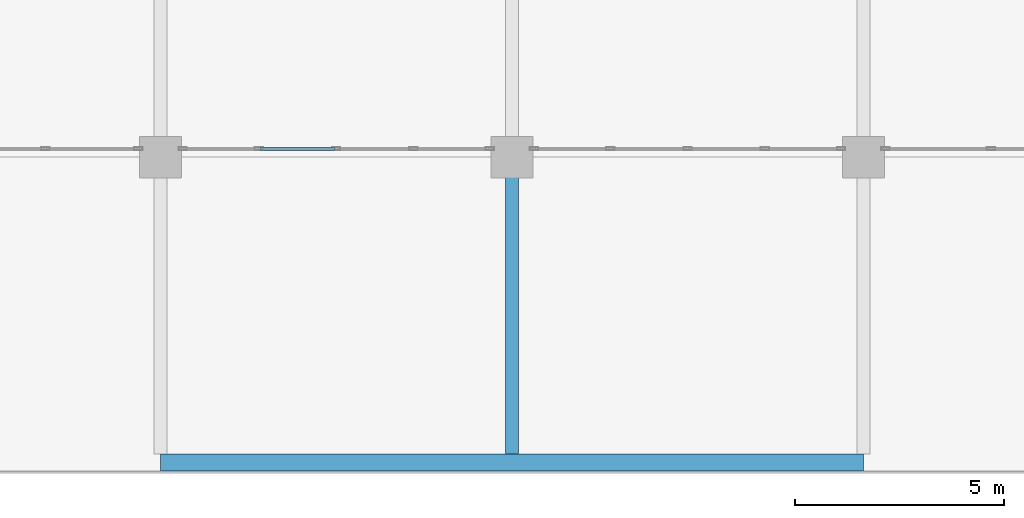
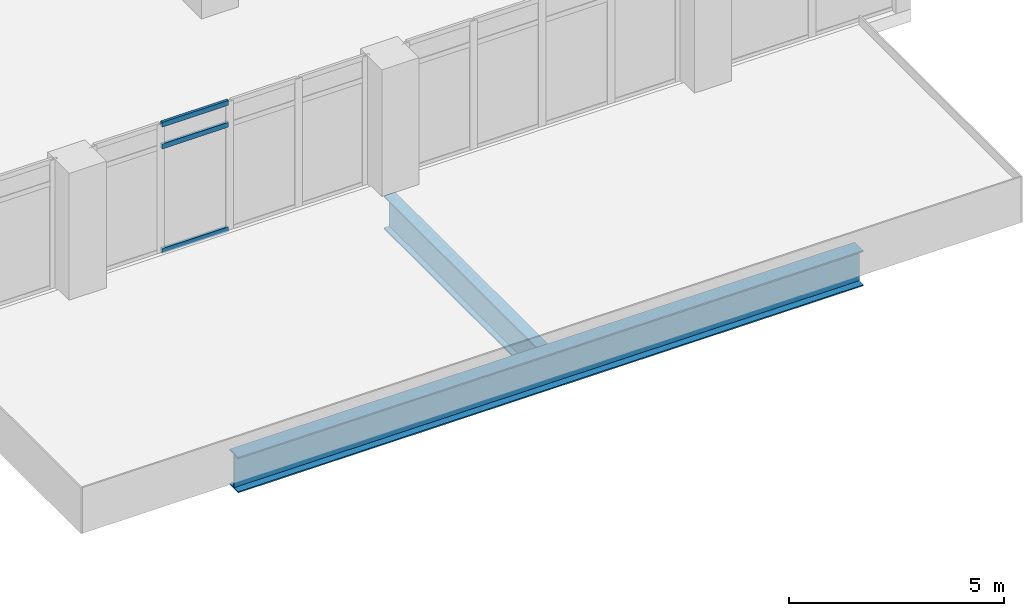
# One storey, part 5 of 24: 3 members, 2 beams, 1 element without a shape of its own.
"""IFC4 building model written with IfcOpenShell, lengths in metres."""

from ifc_helpers import new_model, si_unit, direction, frame, origin, origin_2d, place, context, subcontext, project, spatial, hollow_rectangle, i_section, extrude, material, material_profile, profile_set, type_object, element, aggregate, save


model = new_model("IFC4")

# Units and contexts
model_context = context("Model", 3, precision=1e-05, world=origin(), true_north=direction((0.0, 1.0)))
body_context = subcontext(model_context, "Body", "Model", "MODEL_VIEW")
ifc_project = project(units=[si_unit("LENGTHUNIT", "METRE"), si_unit("AREAUNIT", "SQUARE_METRE"), si_unit("VOLUMEUNIT", "CUBIC_METRE"), si_unit("PLANEANGLEUNIT", "RADIAN"), si_unit("MASSUNIT", "GRAM", prefix="KILO")], contexts=[model_context])

# Site, building, storey
site_placement = place(None, origin())
site = spatial("IfcSite", under=ifc_project, at=site_placement, CompositionType="ELEMENT")
building_placement = place(site_placement, origin())
building = spatial("IfcBuilding", under=site, at=building_placement, Name="Ostrander Bayou Hotel Tower", CompositionType="ELEMENT")
storey_placement = place(building_placement, frame((0.0, 0.0, 6.0)))
storey = spatial("IfcBuildingStorey", under=building, at=storey_placement, Name="L01", CompositionType="ELEMENT", Elevation=6.0)

# Beams
ifc_material_1 = material(Name="Steel ASTM A992", Category="steel")
ifc_material_profile_1 = material_profile(ifc_material_1, i_section(OverallWidth=0.307861328125, OverallDepth=0.94287109375, WebThickness=0.022216796875, FlangeThickness=0.039794921875, at=origin_2d()))
ifc_profile_set_1 = profile_set([ifc_material_profile_1], Name="Steel ASTM A992")
beam_type_1 = type_object("IfcBeamType", Name="CG2 canopy cantilever girder W36x232", PredefinedType="BEAM", material=ifc_profile_set_1)
beam_1_placement = place(storey_placement, frame((0.0, -50.39990234375, -0.8212890625), z_axis=(0.0, -1.0, 0.0), x_axis=(1.0, 0.0, 0.0)))
element("IfcBeam", 1, at=beam_1_placement, inside=storey, type_object=beam_type_1, Name="CG2 G2 cantilever", PredefinedType="BEAM", context=body_context, shape_type="SweptSolid", body=[
    extrude(i_section(OverallWidth=0.307861328125, OverallDepth=0.94287109375, WebThickness=0.022216796875, FlangeThickness=0.039794921875, at=origin_2d()), origin(), (0.0, 0.0, 1.0), 7.097900390625),
])
ifc_material_2 = material(Name="Steel ASTM A992", Category="steel")
ifc_material_profile_2 = material_profile(ifc_material_2, i_section(OverallWidth=0.402099609375, OverallDepth=1.008056640625, WebThickness=0.02099609375, FlangeThickness=0.0361328125, at=origin_2d()))
ifc_profile_set_2 = profile_set([ifc_material_profile_2], Name="Steel ASTM A992")
beam_type_2 = type_object("IfcBeamType", Name="CG3 canopy fascia girder W40x277", PredefinedType="BEAM", material=ifc_profile_set_2)
beam_2_placement = place(storey_placement, frame((-8.39990234375, -57.698974609375, -0.85400390625), z_axis=(1.0, 0.0, 0.0), x_axis=(0.0, 1.0, 0.0)))
element("IfcBeam", 2, at=beam_2_placement, inside=storey, type_object=beam_type_2, Name="CG3 F1 fascia", PredefinedType="BEAM", context=body_context, shape_type="SweptSolid", body=[
    extrude(i_section(OverallWidth=0.402099609375, OverallDepth=1.008056640625, WebThickness=0.02099609375, FlangeThickness=0.0361328125, at=origin_2d()), origin(), (0.0, 0.0, 1.0), 16.7998046875),
])

# Curtain wall, members
ifc_material_3 = material(Name="Aluminium and clear glass", Category="aluminium")
curtain_wall_type = type_object("IfcCurtainWallType", Name="CW-LOBBY glazed wall", PredefinedType="NOTDEFINED", material=ifc_material_3)
curtain_wall_placement = place(storey_placement, origin())
curtain_wall = element("IfcCurtainWall", 3, at=curtain_wall_placement, inside=storey, type_object=curtain_wall_type, Name="CW-LOBBY L01:4", PredefinedType="NOTDEFINED")
ifc_material_4 = material(Name="Aluminium", Category="aluminium")
ifc_material_profile_3 = material_profile(ifc_material_4, hollow_rectangle(XDim=0.070068359375, YDim=0.139892578125, WallThickness=0.00390625, at=origin_2d()))
ifc_profile_set_3 = profile_set([ifc_material_profile_3], Name="Aluminium")
member_type = type_object("IfcMemberType", Name="CW-LO transom 70 x 140 mm", PredefinedType="USERDEFINED", material=ifc_profile_set_3)
member_1_placement = place(storey_placement, frame((-4.22998046875, -50.199951171875, 0.030029296875), z_axis=(-1.0, 0.0, 0.0), x_axis=(0.0, -1.0, 0.0)))
member_1 = element("IfcMember", 4, at=member_1_placement, type_object=member_type, Name="CW-LOBBY transom 3.1", ObjectType="TRANSOM", PredefinedType="USERDEFINED", context=body_context, shape_type="SweptSolid", body=[
    extrude(hollow_rectangle(XDim=0.070068359375, YDim=0.139892578125, WallThickness=0.00390625, at=origin_2d()), origin(), (0.0, 0.0, 1.0), 1.7900390625),
])
member_2_placement = place(storey_placement, frame((-4.22998046875, -50.199951171875, 3.0), z_axis=(-1.0, 0.0, 0.0), x_axis=(0.0, -1.0, 0.0)))
member_2 = element("IfcMember", 5, at=member_2_placement, type_object=member_type, Name="CW-LOBBY transom 3.2", ObjectType="TRANSOM", PredefinedType="USERDEFINED", context=body_context, shape_type="SweptSolid", body=[
    extrude(hollow_rectangle(XDim=0.070068359375, YDim=0.139892578125, WallThickness=0.00390625, at=origin_2d()), origin(), (0.0, 0.0, 1.0), 1.7900390625),
])
member_3_placement = place(storey_placement, frame((-4.22998046875, -50.199951171875, 3.6201171875), z_axis=(-1.0, 0.0, 0.0), x_axis=(0.0, -1.0, 0.0)))
member_3 = element("IfcMember", 6, at=member_3_placement, type_object=member_type, Name="CW-LOBBY transom 3.3", ObjectType="TRANSOM", PredefinedType="USERDEFINED", context=body_context, shape_type="SweptSolid", body=[
    extrude(hollow_rectangle(XDim=0.070068359375, YDim=0.139892578125, WallThickness=0.00390625, at=origin_2d()), origin(), (0.0, 0.0, 1.0), 1.7900390625),
])
aggregate(curtain_wall, [member_1, member_2, member_3])

save(model, "model.ifc")
